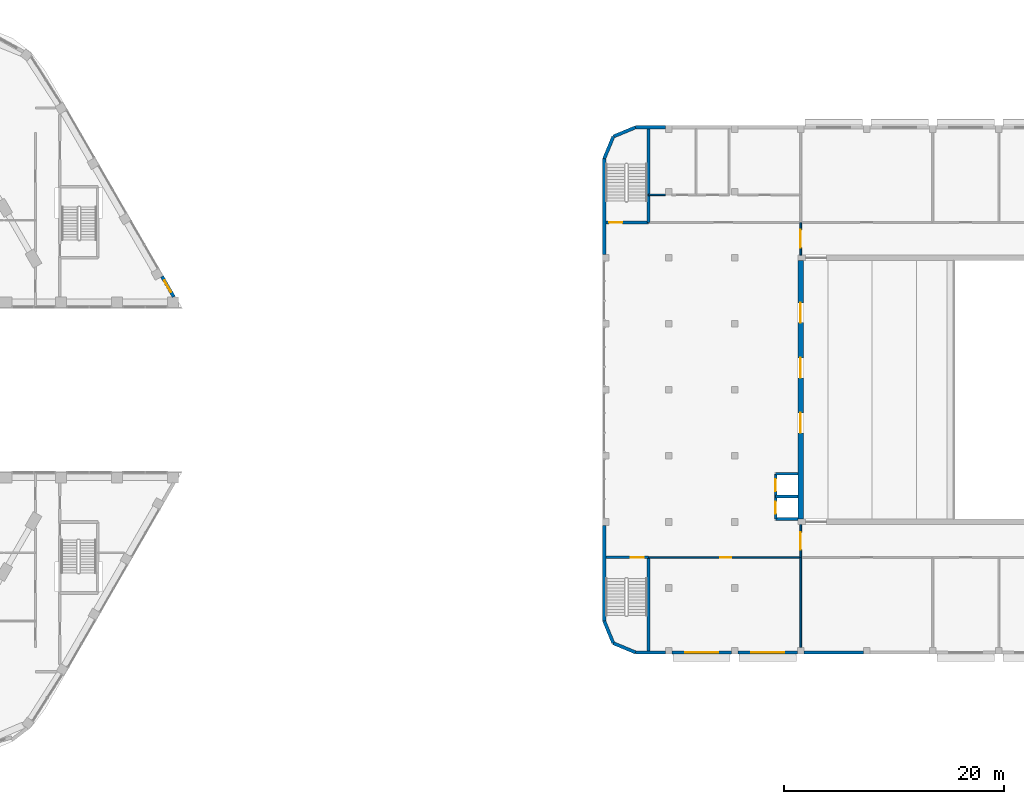
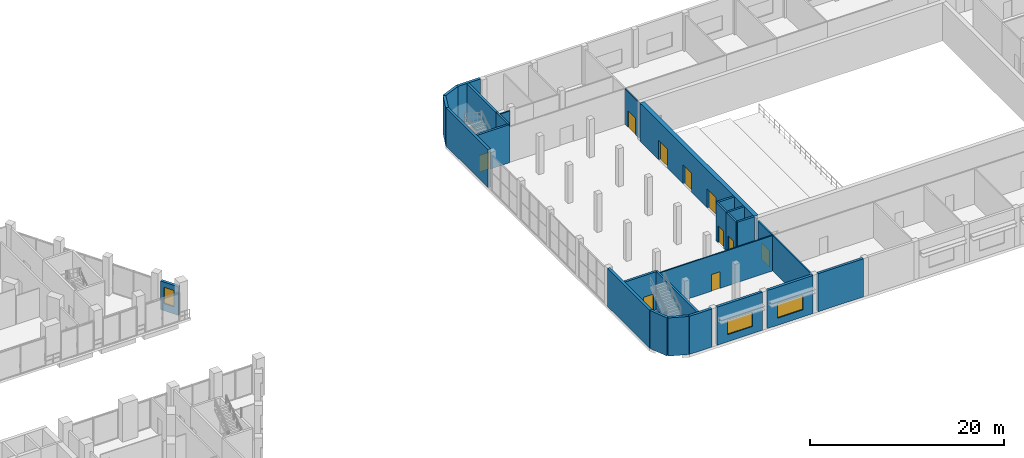
# One storey, part 21 of 45: 28 walls, 10 doors, 3 windows, 13 openings.
"""IFC4 building model written with IfcOpenShell, lengths in metres."""

from ifc_helpers import new_model, si_unit, direction, frame, frame_2d, origin, place, context, subcontext, project, spatial, rectangle, extrude, material, layer, layer_set, type_object, element, fill, save


model = new_model("IFC4")

# Units and contexts
model_context = context("Model", 3, precision=1e-05, world=origin(), true_north=direction((0.0, 1.0)))
body_context = subcontext(model_context, "Body", "Model", "MODEL_VIEW")
ifc_project = project(units=[si_unit("LENGTHUNIT", "METRE"), si_unit("AREAUNIT", "SQUARE_METRE"), si_unit("VOLUMEUNIT", "CUBIC_METRE"), si_unit("PLANEANGLEUNIT", "RADIAN"), si_unit("MASSUNIT", "GRAM", prefix="KILO")], contexts=[model_context])

# Site, building, storey
site_placement = place(None, origin())
site = spatial("IfcSite", under=ifc_project, at=site_placement, CompositionType="ELEMENT")
building_placement = place(site_placement, origin())
building = spatial("IfcBuilding", under=site, at=building_placement, Name="Nakaniwa Court", CompositionType="ELEMENT")
storey_placement = place(building_placement, frame((0.0, 0.0, 6.60009765625)))
storey = spatial("IfcBuildingStorey", under=building, at=storey_placement, Name="L01", CompositionType="ELEMENT", Elevation=6.60009765625)

# Wall, openings, doors
ifc_material_1 = material(Name="Concrete C50/60", Category="concrete")
ifc_layer_1 = layer(ifc_material_1, 0.5)
ifc_layer_set_1 = layer_set([ifc_layer_1], Name="Concrete C50/60")
wall_type_1 = type_object("IfcWallType", Name="Auditorium acoustic mass wall RC 500", PredefinedType="SHEAR", material=ifc_layer_set_1)
wall_1_placement = place(storey_placement, frame((170.0, 68.25, 0.0), z_axis=(0.0, 0.0, 1.0), x_axis=(0.0, 1.0, 0.0)))
wall_1 = element("IfcWall", 1, at=wall_1_placement, inside=storey, type_object=wall_type_1, Name="Auditorium west wall L01", PredefinedType="SHEAR", context=body_context, shape_type="SweptSolid", body=[
    extrude(rectangle(XDim=23.5, YDim=0.5, at=frame_2d((11.75, 0.0))), origin(), (0.0, 0.0, 1.0), 4.7998046875),
])
opening_1_placement = place(wall_1_placement, frame((7.85009765625, 0.0, 0.0)))
opening_1 = element("IfcOpeningElement", 2, at=opening_1_placement, cuts=wall_1, Name="Opening HD-74", PredefinedType="OPENING", context=body_context, shape_type="SweptSolid", body=[
    extrude(rectangle(XDim=1.800048828125, YDim=2.39990234375, at=frame_2d((0.89990234375, 1.199951171875))), frame((0.0, 0.260009765625, 0.0), z_axis=(0.0, -1.0, 0.0), x_axis=(1.0, 0.0, 0.0)), (0.0, 0.0, 1.0), 0.52001953125),
])
opening_2_placement = place(wall_1_placement, frame((12.85009765625, 0.0, 0.0)))
opening_2 = element("IfcOpeningElement", 3, at=opening_2_placement, cuts=wall_1, Name="Opening HD-75", PredefinedType="OPENING", context=body_context, shape_type="SweptSolid", body=[
    extrude(rectangle(XDim=1.800048828125, YDim=2.39990234375, at=frame_2d((0.89990234375, 1.199951171875))), frame((0.0, 0.260009765625, 0.0), z_axis=(0.0, -1.0, 0.0), x_axis=(1.0, 0.0, 0.0)), (0.0, 0.0, 1.0), 0.52001953125),
])
opening_3_placement = place(wall_1_placement, frame((17.85009765625, 0.0, 0.0)))
opening_3 = element("IfcOpeningElement", 4, at=opening_3_placement, cuts=wall_1, Name="Opening HD-76", PredefinedType="OPENING", context=body_context, shape_type="SweptSolid", body=[
    extrude(rectangle(XDim=1.800048828125, YDim=2.39990234375, at=frame_2d((0.89990234375, 1.199951171875))), frame((0.0, 0.260009765625, 0.0), z_axis=(0.0, -1.0, 0.0), x_axis=(1.0, 0.0, 0.0)), (0.0, 0.0, 1.0), 0.52001953125),
])
ifc_material_2 = material(Name="Acoustic solid-core timber double leaf in steel frame", Category="steel")
door_type_1 = type_object("IfcDoorType", Name="Hall acoustic double door 1800x2400", OperationType="DOUBLE_DOOR_SINGLE_SWING", PredefinedType="DOOR", material=ifc_material_2)
door_1_placement = place(opening_1_placement, origin())
door_1 = element("IfcDoor", 5, at=door_1_placement, inside=storey, type_object=door_type_1, Name="L01 door stalls-W1", OperationType="DOUBLE_DOOR_SINGLE_SWING", OverallHeight=2.39990234375, OverallWidth=1.800048828125, PredefinedType="DOOR", context=body_context, shape_type="SweptSolid", body=[
    extrude(rectangle(XDim=1.800048828125, YDim=2.39990234375, at=frame_2d((0.89990234375, 1.199951171875))), frame((0.0, 0.02490234375, 0.0), z_axis=(0.0, -1.0, 0.0), x_axis=(1.0, 0.0, 0.0)), (0.0, 0.0, 1.0), 0.050048828125),
])
fill(opening_1, door_1)
door_2_placement = place(opening_2_placement, origin())
door_2 = element("IfcDoor", 6, at=door_2_placement, inside=storey, type_object=door_type_1, Name="L01 door stalls-W2", OperationType="DOUBLE_DOOR_SINGLE_SWING", OverallHeight=2.39990234375, OverallWidth=1.800048828125, PredefinedType="DOOR", context=body_context, shape_type="SweptSolid", body=[
    extrude(rectangle(XDim=1.800048828125, YDim=2.39990234375, at=frame_2d((0.89990234375, 1.199951171875))), frame((0.0, 0.02490234375, 0.0), z_axis=(0.0, -1.0, 0.0), x_axis=(1.0, 0.0, 0.0)), (0.0, 0.0, 1.0), 0.050048828125),
])
fill(opening_2, door_2)
door_3_placement = place(opening_3_placement, origin())
door_3 = element("IfcDoor", 7, at=door_3_placement, inside=storey, type_object=door_type_1, Name="L01 door stalls-W3", OperationType="DOUBLE_DOOR_SINGLE_SWING", OverallHeight=2.39990234375, OverallWidth=1.800048828125, PredefinedType="DOOR", context=body_context, shape_type="SweptSolid", body=[
    extrude(rectangle(XDim=1.800048828125, YDim=2.39990234375, at=frame_2d((0.89990234375, 1.199951171875))), frame((0.0, 0.02490234375, 0.0), z_axis=(0.0, -1.0, 0.0), x_axis=(1.0, 0.0, 0.0)), (0.0, 0.0, 1.0), 0.050048828125),
])
fill(opening_3, door_3)

# Wall, opening, window
ifc_material_3 = material(Name="Charcoal ceramic cladding")
ifc_layer_2 = layer(ifc_material_3, 0.02, Name="Ceramic cladding")
ifc_material_4 = material(Name="Ventilated air cavity")
ifc_layer_3 = layer(ifc_material_4, 0.04, ventilated=True, Name="Ventilated cavity")
ifc_material_5 = material(Name="Mineral wool insulation")
ifc_layer_4 = layer(ifc_material_5, 0.1, Name="Insulation")
ifc_material_6 = material(Name="Cement bonded sheathing board")
ifc_layer_5 = layer(ifc_material_6, 0.012, Name="Sheathing")
ifc_material_7 = material(Name="Cold-formed galvanised stud frame with mineral wool infill")
ifc_layer_6 = layer(ifc_material_7, 0.1, Name="Stud frame")
ifc_material_8 = material(Name="Fire-rated gypsum plasterboard lining")
ifc_layer_7 = layer(ifc_material_8, 0.028, Name="Lining")
ifc_layer_set_2 = layer_set([ifc_layer_2, ifc_layer_3, ifc_layer_4, ifc_layer_5, ifc_layer_6, ifc_layer_7], Name="Charcoal ceramic faced external wall system")
wall_type_2 = type_object("IfcWallType", Name="Black ceramic faced external wall 300", PredefinedType="SOLIDWALL", material=ifc_layer_set_2)
wall_2_placement = place(storey_placement, frame((113.055419921875, 88.446533203125, 0.0), z_axis=(0.0, 0.0, 1.0), x_axis=(-0.499987977232, 0.866032345022, 0.0)))
wall_2 = element("IfcWall", 8, at=wall_2_placement, inside=storey, type_object=wall_type_2, Name="L01 external wall 39", PredefinedType="SOLIDWALL", context=body_context, shape_type="SweptSolid", body=[
    extrude(rectangle(XDim=2.14892578125, YDim=0.300048828125, at=frame_2d((1.074462890625, 0.0))), origin(), (0.0, 0.0, 1.0), 3.599853515625),
])
opening_4_placement = place(wall_2_placement, frame((0.525146484375, 0.0, 0.89990234375)))
opening_4 = element("IfcOpeningElement", 9, at=opening_4_placement, cuts=wall_2, Name="Opening W1.18", PredefinedType="OPENING", context=body_context, shape_type="SweptSolid", body=[
    extrude(rectangle(XDim=1.199951171875, YDim=2.050048828125, at=frame_2d((0.60009765625, 1.02490234375))), frame((0.0, 0.159912109375, 0.0), z_axis=(0.0, -1.0, 0.0), x_axis=(1.0, 0.0, 0.0)), (0.0, 0.0, 1.0), 0.320068359375),
])
ifc_material_9 = material(Name="Black anodised aluminium frame with dark low-E laminated double glazing", Category="aluminium")
window_type_1 = type_object("IfcWindowType", Name="Dark glass window 1200x2050 sill 900", PartitioningType="SINGLE_PANEL", PredefinedType="WINDOW", material=ifc_material_9)
window_1_placement = place(opening_4_placement, origin())
window_1 = element("IfcWindow", 10, at=window_1_placement, inside=storey, type_object=window_type_1, Name="L01 habitable room window 39-0", OverallHeight=2.050048828125, OverallWidth=1.199951171875, PartitioningType="SINGLE_PANEL", PredefinedType="WINDOW", context=body_context, shape_type="SweptSolid", body=[
    extrude(rectangle(XDim=1.199951171875, YDim=2.050048828125, at=frame_2d((0.60009765625, 1.02490234375))), frame((0.0, 0.030029296875, 0.0), z_axis=(0.0, -1.0, 0.0), x_axis=(1.0, 0.0, 0.0)), (0.0, 0.0, 1.0), 0.06005859375),
])
fill(opening_4, window_1)

# Walls
ifc_layer_8 = layer(ifc_material_1, 0.300048828125)
ifc_layer_set_3 = layer_set([ifc_layer_8], Name="Concrete C50/60")
wall_type_3 = type_object("IfcWallType", Name="Fair faced concrete wall 300", PredefinedType="SOLIDWALL", material=ifc_layer_set_3)
for number, where, z_axis, x_axis, name in (
    (11, (155.0, 56.14990234375, 0.0), (0.0, 0.0, 1.0), (-0.923892706888, 0.382651625058, 0.0), "Facade wall L01 1"),
    (12, (152.984619140625, 56.984619140625, 0.0), (0.0, 0.0, 1.0), (-0.382651625058, 0.923892706888, 0.0), "Facade wall L01 2"),
):
    element("IfcWall", number, at=place(storey_placement, frame(where, z_axis=z_axis, x_axis=x_axis)), inside=storey, type_object=wall_type_3, Name=name, PredefinedType="SOLIDWALL", context=body_context, shape_type="SweptSolid", body=[
        extrude(rectangle(XDim=2.181396484375, YDim=0.300048828125, at=frame_2d((1.0908203125, 0.0))), origin(), (0.0, 0.0, 1.0), 4.7998046875),
    ])
for number, where, z_axis, x_axis, name in (
    (13, (152.14990234375, 59.0, 0.0), (0.0, 0.0, 1.0), (0.0, 1.0, 0.0), "Facade wall L01 3"),
    (14, (152.14990234375, 92.300048828125, 0.0), (0.0, 0.0, 1.0), (0.0, 1.0, 0.0), "Facade wall L01 8"),
):
    element("IfcWall", number, at=place(storey_placement, frame(where, z_axis=z_axis, x_axis=x_axis)), inside=storey, type_object=wall_type_3, Name=name, PredefinedType="SOLIDWALL", context=body_context, shape_type="SweptSolid", body=[
        extrude(rectangle(XDim=8.699951171875, YDim=0.300048828125, at=frame_2d((4.35009765625, 0.0))), origin(), (0.0, 0.0, 1.0), 4.7998046875),
    ])
for number, where, z_axis, x_axis, name in (
    (15, (152.14990234375, 101.0, 0.0), (0.0, 0.0, 1.0), (0.382651625058, 0.923892706888, 0.0), "Facade wall L01 9"),
    (16, (152.984619140625, 103.015380859375, 0.0), (0.0, 0.0, 1.0), (0.923892706888, 0.382651625058, 0.0), "Facade wall L01 10"),
):
    element("IfcWall", number, at=place(storey_placement, frame(where, z_axis=z_axis, x_axis=x_axis)), inside=storey, type_object=wall_type_3, Name=name, PredefinedType="SOLIDWALL", context=body_context, shape_type="SweptSolid", body=[
        extrude(rectangle(XDim=2.181396484375, YDim=0.300048828125, at=frame_2d((1.0908203125, 0.0))), origin(), (0.0, 0.0, 1.0), 4.7998046875),
    ])
wall_3_placement = place(storey_placement, frame((155.0, 103.85009765625, 0.0), z_axis=(0.0, 0.0, 1.0), x_axis=(1.0, 0.0, 0.0)))
element("IfcWall", 17, at=wall_3_placement, inside=storey, type_object=wall_type_3, Name="Facade wall L01 11", PredefinedType="SOLIDWALL", context=body_context, shape_type="SweptSolid", body=[
    extrude(rectangle(XDim=2.699951171875, YDim=0.300048828125, at=frame_2d((1.35009765625, 0.0))), origin(), (0.0, 0.0, 1.0), 4.7998046875),
])
wall_4_placement = place(storey_placement, frame((175.699951171875, 56.14990234375, 0.0), z_axis=(0.0, 0.0, 1.0), x_axis=(-1.0, 0.0, 0.0)))
element("IfcWall", 18, at=wall_4_placement, inside=storey, type_object=wall_type_3, Name="Facade wall L01 39", PredefinedType="SOLIDWALL", context=body_context, shape_type="SweptSolid", body=[
    extrude(rectangle(XDim=5.39990234375, YDim=0.300048828125, at=frame_2d((2.699951171875, 0.0))), origin(), (0.0, 0.0, 1.0), 4.7998046875),
])

# Wall, opening, window
wall_5_placement = place(storey_placement, frame((169.699951171875, 56.14990234375, 0.0), z_axis=(0.0, 0.0, 1.0), x_axis=(-1.0, 0.0, 0.0)))
wall_5 = element("IfcWall", 19, at=wall_5_placement, inside=storey, type_object=wall_type_3, Name="Facade wall L01 40", PredefinedType="SOLIDWALL", context=body_context, shape_type="SweptSolid", body=[
    extrude(rectangle(XDim=5.39990234375, YDim=0.300048828125, at=frame_2d((2.699951171875, 0.0))), origin(), (0.0, 0.0, 1.0), 4.7998046875),
])
opening_5_placement = place(wall_5_placement, frame((1.199951171875, 0.0, 0.89990234375)))
opening_5 = element("IfcOpeningElement", 20, at=opening_5_placement, cuts=wall_5, Name="Opening HWN-32", PredefinedType="OPENING", context=body_context, shape_type="SweptSolid", body=[
    extrude(rectangle(XDim=3.0, YDim=1.800048828125, at=frame_2d((1.5, 0.89990234375))), frame((0.0, 0.159912109375, 0.0), z_axis=(0.0, -1.0, 0.0), x_axis=(1.0, 0.0, 0.0)), (0.0, 0.0, 1.0), 0.320068359375),
])
ifc_material_10 = material(Name="Black powder-coated aluminium frame with dark glass", Category="aluminium")
window_type_2 = type_object("IfcWindowType", Name="Hall window 3000x1800", PartitioningType="SINGLE_PANEL", PredefinedType="WINDOW", material=ifc_material_10)
window_2_placement = place(opening_5_placement, origin())
window_2 = element("IfcWindow", 21, at=window_2_placement, inside=storey, type_object=window_type_2, Name="Window L01:039", OverallHeight=1.800048828125, OverallWidth=3.0, PartitioningType="SINGLE_PANEL", PredefinedType="WINDOW", context=body_context, shape_type="SweptSolid", body=[
    extrude(rectangle(XDim=3.0, YDim=1.800048828125, at=frame_2d((1.5, 0.89990234375))), frame((0.0, 0.030029296875, 0.0), z_axis=(0.0, -1.0, 0.0), x_axis=(1.0, 0.0, 0.0)), (0.0, 0.0, 1.0), 0.06005859375),
])
fill(opening_5, window_2)

wall_6_placement = place(storey_placement, frame((163.699951171875, 56.14990234375, 0.0), z_axis=(0.0, 0.0, 1.0), x_axis=(-1.0, 0.0, 0.0)))
wall_6 = element("IfcWall", 22, at=wall_6_placement, inside=storey, type_object=wall_type_3, Name="Facade wall L01 41", PredefinedType="SOLIDWALL", context=body_context, shape_type="SweptSolid", body=[
    extrude(rectangle(XDim=5.39990234375, YDim=0.300048828125, at=frame_2d((2.699951171875, 0.0))), origin(), (0.0, 0.0, 1.0), 4.7998046875),
])
opening_6_placement = place(wall_6_placement, frame((1.199951171875, 0.0, 0.89990234375)))
opening_6 = element("IfcOpeningElement", 23, at=opening_6_placement, cuts=wall_6, Name="Opening HWN-33", PredefinedType="OPENING", context=body_context, shape_type="SweptSolid", body=[
    extrude(rectangle(XDim=3.0, YDim=1.800048828125, at=frame_2d((1.5, 0.89990234375))), frame((0.0, 0.159912109375, 0.0), z_axis=(0.0, -1.0, 0.0), x_axis=(1.0, 0.0, 0.0)), (0.0, 0.0, 1.0), 0.320068359375),
])
window_3_placement = place(opening_6_placement, origin())
window_3 = element("IfcWindow", 24, at=window_3_placement, inside=storey, type_object=window_type_2, Name="Window L01:040", OverallHeight=1.800048828125, OverallWidth=3.0, PartitioningType="SINGLE_PANEL", PredefinedType="WINDOW", context=body_context, shape_type="SweptSolid", body=[
    extrude(rectangle(XDim=3.0, YDim=1.800048828125, at=frame_2d((1.5, 0.89990234375))), frame((0.0, 0.030029296875, 0.0), z_axis=(0.0, -1.0, 0.0), x_axis=(1.0, 0.0, 0.0)), (0.0, 0.0, 1.0), 0.06005859375),
])
fill(opening_6, window_3)

# Wall
wall_7_placement = place(storey_placement, frame((157.699951171875, 56.14990234375, 0.0), z_axis=(0.0, 0.0, 1.0), x_axis=(-1.0, 0.0, 0.0)))
element("IfcWall", 25, at=wall_7_placement, inside=storey, type_object=wall_type_3, Name="Facade wall L01 42", PredefinedType="SOLIDWALL", context=body_context, shape_type="SweptSolid", body=[
    extrude(rectangle(XDim=2.699951171875, YDim=0.300048828125, at=frame_2d((1.35009765625, 0.0))), origin(), (0.0, 0.0, 1.0), 4.7998046875),
])

# Wall, opening, door
ifc_material_11 = material(Name="Concrete C40/50", Category="concrete")
ifc_layer_9 = layer(ifc_material_11, 0.25)
ifc_layer_set_4 = layer_set([ifc_layer_9], Name="Concrete C40/50")
wall_type_4 = type_object("IfcWallType", Name="Fire isolated shaft wall RC 250", PredefinedType="SOLIDWALL", material=ifc_layer_set_4)
wall_8_placement = place(storey_placement, frame((156.175048828125, 64.784912109375, 0.0), z_axis=(0.0, 0.0, 1.0), x_axis=(-1.0, 0.0, 0.0)))
wall_8 = element("IfcWall", 26, at=wall_8_placement, inside=storey, type_object=wall_type_4, Name="L01 shaft wall 1", PredefinedType="SOLIDWALL", context=body_context, shape_type="SweptSolid", body=[
    extrude(rectangle(XDim=3.875, YDim=0.25, at=frame_2d((1.9375, 0.0))), origin(), (0.0, 0.0, 1.0), 4.7998046875),
])
opening_7_placement = place(wall_8_placement, frame((0.425048828125, 0.0, 0.0)))
opening_7 = element("IfcOpeningElement", 27, at=opening_7_placement, cuts=wall_8, Name="Opening HD-49", PredefinedType="OPENING", context=body_context, shape_type="SweptSolid", body=[
    extrude(rectangle(XDim=1.199951171875, YDim=2.10009765625, at=frame_2d((0.60009765625, 1.050048828125))), frame((0.0, 0.135009765625, 0.0), z_axis=(0.0, -1.0, 0.0), x_axis=(1.0, 0.0, 0.0)), (0.0, 0.0, 1.0), 0.27001953125),
])
ifc_material_12 = material(Name="Insulated steel door leaf in steel frame", Category="steel")
door_type_2 = type_object("IfcDoorType", Name="Hall stair door 1200x2100", OperationType="SINGLE_SWING_LEFT", PredefinedType="DOOR", material=ifc_material_12)
door_4_placement = place(opening_7_placement, origin())
door_4 = element("IfcDoor", 28, at=door_4_placement, inside=storey, type_object=door_type_2, Name="L01 door Exit-stair-H1", OperationType="SINGLE_SWING_LEFT", OverallHeight=2.10009765625, OverallWidth=1.199951171875, PredefinedType="DOOR", context=body_context, shape_type="SweptSolid", body=[
    extrude(rectangle(XDim=1.199951171875, YDim=2.10009765625, at=frame_2d((0.60009765625, 1.050048828125))), frame((0.0, 0.02490234375, 0.0), z_axis=(0.0, -1.0, 0.0), x_axis=(1.0, 0.0, 0.0)), (0.0, 0.0, 1.0), 0.050048828125),
])
fill(opening_7, door_4)

wall_9_placement = place(storey_placement, frame((152.300048828125, 95.215087890625, 0.0), z_axis=(0.0, 0.0, 1.0), x_axis=(1.0, 0.0, 0.0)))
wall_9 = element("IfcWall", 29, at=wall_9_placement, inside=storey, type_object=wall_type_4, Name="L01 shaft wall 2", PredefinedType="SOLIDWALL", context=body_context, shape_type="SweptSolid", body=[
    extrude(rectangle(XDim=3.875, YDim=0.25, at=frame_2d((1.9375, 0.0))), origin(), (0.0, 0.0, 1.0), 4.7998046875),
])
opening_8_placement = place(wall_9_placement, frame((0.300048828125, 0.0, 0.0)))
opening_8 = element("IfcOpeningElement", 30, at=opening_8_placement, cuts=wall_9, Name="Opening HD-50", PredefinedType="OPENING", context=body_context, shape_type="SweptSolid", body=[
    extrude(rectangle(XDim=1.199951171875, YDim=2.10009765625, at=frame_2d((0.60009765625, 1.050048828125))), frame((0.0, 0.135009765625, 0.0), z_axis=(0.0, -1.0, 0.0), x_axis=(1.0, 0.0, 0.0)), (0.0, 0.0, 1.0), 0.27001953125),
])
door_5_placement = place(opening_8_placement, origin())
door_5 = element("IfcDoor", 31, at=door_5_placement, inside=storey, type_object=door_type_2, Name="L01 door Exit-stair-H2", OperationType="SINGLE_SWING_RIGHT", OverallHeight=2.10009765625, OverallWidth=1.199951171875, PredefinedType="DOOR", context=body_context, shape_type="SweptSolid", body=[
    extrude(rectangle(XDim=1.199951171875, YDim=2.10009765625, at=frame_2d((0.60009765625, 1.050048828125))), frame((0.0, 0.02490234375, 0.0), z_axis=(0.0, -1.0, 0.0), x_axis=(1.0, 0.0, 0.0)), (0.0, 0.0, 1.0), 0.050048828125),
])
fill(opening_8, door_5)

# Walls
wall_10_placement = place(storey_placement, frame((156.175048828125, 64.784912109375, 0.0), z_axis=(0.0, 0.0, 1.0), x_axis=(0.0, -1.0, 0.0)))
element("IfcWall", 32, at=wall_10_placement, inside=storey, type_object=wall_type_4, Name="L01 shaft wall 3", PredefinedType="SOLIDWALL", context=body_context, shape_type="SweptSolid", body=[
    extrude(rectangle(XDim=8.48486328125, YDim=0.25, at=frame_2d((4.242431640625, 0.0))), origin(), (0.0, 0.0, 1.0), 4.7998046875),
])
wall_11_placement = place(storey_placement, frame((156.175048828125, 97.715087890625, 0.0), z_axis=(0.0, 0.0, 1.0), x_axis=(0.0, -1.0, 0.0)))
element("IfcWall", 33, at=wall_11_placement, inside=storey, type_object=wall_type_4, Name="L01 shaft wall 6", PredefinedType="SOLIDWALL", context=body_context, shape_type="SweptSolid", body=[
    extrude(rectangle(XDim=2.5, YDim=0.25, at=frame_2d((1.25, 0.0))), origin(), (0.0, 0.0, 1.0), 4.7998046875),
])
wall_12_placement = place(storey_placement, frame((156.175048828125, 103.699951171875, 0.0), z_axis=(0.0, 0.0, 1.0), x_axis=(0.0, -1.0, 0.0)))
element("IfcWall", 34, at=wall_12_placement, inside=storey, type_object=wall_type_4, Name="L01 shaft wall 9", PredefinedType="SOLIDWALL", context=body_context, shape_type="SweptSolid", body=[
    extrude(rectangle(XDim=5.98486328125, YDim=0.25, at=frame_2d((2.992431640625, 0.0))), origin(), (0.0, 0.0, 1.0), 4.7998046875),
])
for number, where, z_axis, x_axis, name in (
    (35, (167.72509765625, 70.324951171875, 0.0), (0.0, 0.0, 1.0), (1.0, 0.0, 0.0), "L01 shaft wall 14"),
    (36, (169.75, 72.375, 0.0), (0.0, 0.0, 1.0), (-1.0, 0.0, 0.0), "L01 shaft wall 15"),
):
    element("IfcWall", number, at=place(storey_placement, frame(where, z_axis=z_axis, x_axis=x_axis)), inside=storey, type_object=wall_type_4, Name=name, PredefinedType="SOLIDWALL", context=body_context, shape_type="SweptSolid", body=[
        extrude(rectangle(XDim=2.02490234375, YDim=0.25, at=frame_2d((1.012451171875, 0.0))), origin(), (0.0, 0.0, 1.0), 4.7998046875),
    ])

# Wall, opening, door
wall_13_placement = place(storey_placement, frame((167.72509765625, 72.375, 0.0), z_axis=(0.0, 0.0, 1.0), x_axis=(0.0, -1.0, 0.0)))
wall_13 = element("IfcWall", 37, at=wall_13_placement, inside=storey, type_object=wall_type_4, Name="L01 shaft wall 16", PredefinedType="SOLIDWALL", context=body_context, shape_type="SweptSolid", body=[
    extrude(rectangle(XDim=2.050048828125, YDim=0.25, at=frame_2d((1.02490234375, 0.0))), origin(), (0.0, 0.0, 1.0), 4.7998046875),
])
opening_9_placement = place(wall_13_placement, frame((0.47509765625, 0.0, 0.0)))
opening_9 = element("IfcOpeningElement", 38, at=opening_9_placement, cuts=wall_13, Name="Opening LD-01", PredefinedType="OPENING", context=body_context, shape_type="SweptSolid", body=[
    extrude(rectangle(XDim=1.10009765625, YDim=2.10009765625, at=frame_2d((0.550048828125, 1.050048828125))), frame((0.0, 0.135009765625, 0.0), z_axis=(0.0, -1.0, 0.0), x_axis=(1.0, 0.0, 0.0)), (0.0, 0.0, 1.0), 0.27001953125),
])
ifc_material_13 = material(Name="Brushed stainless steel sliding landing door", Category="steel")
door_type_3 = type_object("IfcDoorType", Name="Hall lift landing door 1100x2100", OperationType="SLIDING_TO_LEFT", PredefinedType="DOOR", material=ifc_material_13)
door_6_placement = place(opening_9_placement, origin())
door_6 = element("IfcDoor", 39, at=door_6_placement, inside=storey, type_object=door_type_3, Name="L01 lift landing door HL2", OperationType="SLIDING_TO_LEFT", OverallHeight=2.10009765625, OverallWidth=1.10009765625, PredefinedType="DOOR", context=body_context, shape_type="SweptSolid", body=[
    extrude(rectangle(XDim=1.10009765625, YDim=2.10009765625, at=frame_2d((0.550048828125, 1.050048828125))), frame((0.0, 0.02490234375, 0.0), z_axis=(0.0, -1.0, 0.0), x_axis=(1.0, 0.0, 0.0)), (0.0, 0.0, 1.0), 0.050048828125),
])
fill(opening_9, door_6)

wall_14_placement = place(storey_placement, frame((167.72509765625, 70.324951171875, 0.0), z_axis=(0.0, 0.0, 1.0), x_axis=(0.0, -1.0, 0.0)))
wall_14 = element("IfcWall", 40, at=wall_14_placement, inside=storey, type_object=wall_type_4, Name="L01 shaft wall 17", PredefinedType="SOLIDWALL", context=body_context, shape_type="SweptSolid", body=[
    extrude(rectangle(XDim=2.050048828125, YDim=0.25, at=frame_2d((1.02490234375, 0.0))), origin(), (0.0, 0.0, 1.0), 4.7998046875),
])
opening_10_placement = place(wall_14_placement, frame((0.47509765625, 0.0, 0.0)))
opening_10 = element("IfcOpeningElement", 41, at=opening_10_placement, cuts=wall_14, Name="Opening LD-02", PredefinedType="OPENING", context=body_context, shape_type="SweptSolid", body=[
    extrude(rectangle(XDim=1.10009765625, YDim=2.10009765625, at=frame_2d((0.550048828125, 1.050048828125))), frame((0.0, 0.135009765625, 0.0), z_axis=(0.0, -1.0, 0.0), x_axis=(1.0, 0.0, 0.0)), (0.0, 0.0, 1.0), 0.27001953125),
])
door_7_placement = place(opening_10_placement, origin())
door_7 = element("IfcDoor", 42, at=door_7_placement, inside=storey, type_object=door_type_3, Name="L01 lift landing door HL1", OperationType="SLIDING_TO_LEFT", OverallHeight=2.10009765625, OverallWidth=1.10009765625, PredefinedType="DOOR", context=body_context, shape_type="SweptSolid", body=[
    extrude(rectangle(XDim=1.10009765625, YDim=2.10009765625, at=frame_2d((0.550048828125, 1.050048828125))), frame((0.0, 0.02490234375, 0.0), z_axis=(0.0, -1.0, 0.0), x_axis=(1.0, 0.0, 0.0)), (0.0, 0.0, 1.0), 0.050048828125),
])
fill(opening_10, door_7)

# Wall
wall_15_placement = place(storey_placement, frame((167.72509765625, 68.27490234375, 0.0), z_axis=(0.0, 0.0, 1.0), x_axis=(1.0, 0.0, 0.0)))
element("IfcWall", 43, at=wall_15_placement, inside=storey, type_object=wall_type_4, Name="L01 shaft wall 18", PredefinedType="SOLIDWALL", context=body_context, shape_type="SweptSolid", body=[
    extrude(rectangle(XDim=2.02490234375, YDim=0.25, at=frame_2d((1.012451171875, 0.0))), origin(), (0.0, 0.0, 1.0), 4.7998046875),
])

# Wall, opening, door
ifc_material_14 = material(Name="Steel stud plasterboard partition", Category="steel")
ifc_layer_10 = layer(ifc_material_14, 0.14990234375)
ifc_layer_set_5 = layer_set([ifc_layer_10], Name="Steel stud plasterboard partition")
wall_type_5 = type_object("IfcWallType", Name="Partition 150", PredefinedType="PARTITIONING", material=ifc_layer_set_5)
wall_16_placement = place(storey_placement, frame((170.0, 64.784912109375, 0.0), z_axis=(0.0, 0.0, 1.0), x_axis=(-1.0, 0.0, 0.0)))
wall_16 = element("IfcWall", 44, at=wall_16_placement, inside=storey, type_object=wall_type_5, Name="L01 partition wall 4", PredefinedType="PARTITIONING", context=body_context, shape_type="SweptSolid", body=[
    extrude(rectangle(XDim=13.824951171875, YDim=0.14990234375, at=frame_2d((6.91259765625, 0.0))), origin(), (0.0, 0.0, 1.0), 4.449951171875),
])
opening_11_placement = place(wall_16_placement, frame((6.324951171875, 0.0, 0.0)))
opening_11 = element("IfcOpeningElement", 45, at=opening_11_placement, cuts=wall_16, Name="Opening HD-51", PredefinedType="OPENING", context=body_context, shape_type="SweptSolid", body=[
    extrude(rectangle(XDim=1.0, YDim=2.10009765625, at=frame_2d((0.5, 1.050048828125))), frame((0.0, 0.0849609375, 0.0), z_axis=(0.0, -1.0, 0.0), x_axis=(1.0, 0.0, 0.0)), (0.0, 0.0, 1.0), 0.169921875),
])
ifc_material_15 = material(Name="Solid-core timber door leaf in steel frame", Category="steel")
door_type_4 = type_object("IfcDoorType", Name="Hall door 1000x2100", OperationType="SINGLE_SWING_LEFT", PredefinedType="DOOR", material=ifc_material_15)
door_8_placement = place(opening_11_placement, origin())
door_8 = element("IfcDoor", 46, at=door_8_placement, inside=storey, type_object=door_type_4, Name="L01 door Bar-and-cafe", OperationType="SINGLE_SWING_RIGHT", OverallHeight=2.10009765625, OverallWidth=1.0, PredefinedType="DOOR", context=body_context, shape_type="SweptSolid", body=[
    extrude(rectangle(XDim=1.0, YDim=2.10009765625, at=frame_2d((0.5, 1.050048828125))), frame((0.0, 0.02490234375, 0.0), z_axis=(0.0, -1.0, 0.0), x_axis=(1.0, 0.0, 0.0)), (0.0, 0.0, 1.0), 0.050048828125),
])
fill(opening_11, door_8)

# Wall
wall_17_placement = place(storey_placement, frame((170.0, 64.784912109375, 0.0), z_axis=(0.0, 0.0, 1.0), x_axis=(0.0, -1.0, 0.0)))
element("IfcWall", 47, at=wall_17_placement, inside=storey, type_object=wall_type_5, Name="L01 partition wall 19", PredefinedType="PARTITIONING", context=body_context, shape_type="SweptSolid", body=[
    extrude(rectangle(XDim=8.184814453125, YDim=0.14990234375, at=frame_2d((4.09228515625, 0.0))), origin(), (0.0, 0.0, 1.0), 4.449951171875),
])

# Wall, opening, door
wall_18_placement = place(storey_placement, frame((170.0, 67.75, 0.0), z_axis=(0.0, 0.0, 1.0), x_axis=(0.0, -1.0, 0.0)))
wall_18 = element("IfcWall", 48, at=wall_18_placement, inside=storey, type_object=wall_type_5, Name="L01 partition wall 21", PredefinedType="PARTITIONING", context=body_context, shape_type="SweptSolid", body=[
    extrude(rectangle(XDim=2.965087890625, YDim=0.14990234375, at=frame_2d((1.482421875, 0.0))), origin(), (0.0, 0.0, 1.0), 4.449951171875),
])
opening_12_placement = place(wall_18_placement, frame((0.6826171875, 0.0, 0.0)))
opening_12 = element("IfcOpeningElement", 49, at=opening_12_placement, cuts=wall_18, Name="Opening HD-57", PredefinedType="OPENING", context=body_context, shape_type="SweptSolid", body=[
    extrude(rectangle(XDim=1.60009765625, YDim=2.10009765625, at=frame_2d((0.800048828125, 1.050048828125))), frame((0.0, 0.0849609375, 0.0), z_axis=(0.0, -1.0, 0.0), x_axis=(1.0, 0.0, 0.0)), (0.0, 0.0, 1.0), 0.169921875),
])
door_type_5 = type_object("IfcDoorType", Name="Hall corridor double door 1600x2100", OperationType="DOUBLE_DOOR_SINGLE_SWING", PredefinedType="DOOR", material=ifc_material_15)
door_9_placement = place(opening_12_placement, origin())
door_9 = element("IfcDoor", 50, at=door_9_placement, inside=storey, type_object=door_type_5, Name="L01 door foyer-corridor-1", OperationType="DOUBLE_DOOR_SINGLE_SWING", OverallHeight=2.10009765625, OverallWidth=1.60009765625, PredefinedType="DOOR", context=body_context, shape_type="SweptSolid", body=[
    extrude(rectangle(XDim=1.60009765625, YDim=2.10009765625, at=frame_2d((0.800048828125, 1.050048828125))), frame((0.0, 0.02490234375, 0.0), z_axis=(0.0, -1.0, 0.0), x_axis=(1.0, 0.0, 0.0)), (0.0, 0.0, 1.0), 0.050048828125),
])
fill(opening_12, door_9)

wall_19_placement = place(storey_placement, frame((170.0, 95.215087890625, 0.0), z_axis=(0.0, 0.0, 1.0), x_axis=(0.0, -1.0, 0.0)))
wall_19 = element("IfcWall", 51, at=wall_19_placement, inside=storey, type_object=wall_type_5, Name="L01 partition wall 22", PredefinedType="PARTITIONING", context=body_context, shape_type="SweptSolid", body=[
    extrude(rectangle(XDim=2.965087890625, YDim=0.14990234375, at=frame_2d((1.482421875, 0.0))), origin(), (0.0, 0.0, 1.0), 4.449951171875),
])
opening_13_placement = place(wall_19_placement, frame((0.6826171875, 0.0, 0.0)))
opening_13 = element("IfcOpeningElement", 52, at=opening_13_placement, cuts=wall_19, Name="Opening HD-58", PredefinedType="OPENING", context=body_context, shape_type="SweptSolid", body=[
    extrude(rectangle(XDim=1.60009765625, YDim=2.10009765625, at=frame_2d((0.800048828125, 1.050048828125))), frame((0.0, 0.0849609375, 0.0), z_axis=(0.0, -1.0, 0.0), x_axis=(1.0, 0.0, 0.0)), (0.0, 0.0, 1.0), 0.169921875),
])
door_10_placement = place(opening_13_placement, origin())
door_10 = element("IfcDoor", 53, at=door_10_placement, inside=storey, type_object=door_type_5, Name="L01 door foyer-corridor-2", OperationType="DOUBLE_DOOR_SINGLE_SWING", OverallHeight=2.10009765625, OverallWidth=1.60009765625, PredefinedType="DOOR", context=body_context, shape_type="SweptSolid", body=[
    extrude(rectangle(XDim=1.60009765625, YDim=2.10009765625, at=frame_2d((0.800048828125, 1.050048828125))), frame((0.0, 0.02490234375, 0.0), z_axis=(0.0, -1.0, 0.0), x_axis=(1.0, 0.0, 0.0)), (0.0, 0.0, 1.0), 0.050048828125),
])
fill(opening_13, door_10)

# Wall
ifc_material_16 = material(Name="Moisture-resistant steel stud partition", Category="steel")
ifc_layer_11 = layer(ifc_material_16, 0.14990234375)
ifc_layer_set_6 = layer_set([ifc_layer_11], Name="Moisture-resistant steel stud partition")
wall_type_6 = type_object("IfcWallType", Name="Wet area partition 150", PredefinedType="PLUMBINGWALL", material=ifc_layer_set_6)
wall_20_placement = place(storey_placement, frame((156.175048828125, 97.715087890625, 0.0), z_axis=(0.0, 0.0, 1.0), x_axis=(1.0, 0.0, 0.0)))
element("IfcWall", 54, at=wall_20_placement, inside=storey, type_object=wall_type_6, Name="L01 partition wall 7", PredefinedType="PLUMBINGWALL", context=body_context, shape_type="SweptSolid", body=[
    extrude(rectangle(XDim=1.52490234375, YDim=0.14990234375, at=frame_2d((0.762451171875, 0.0))), origin(), (0.0, 0.0, 1.0), 4.449951171875),
])

save(model, "model.ifc")
